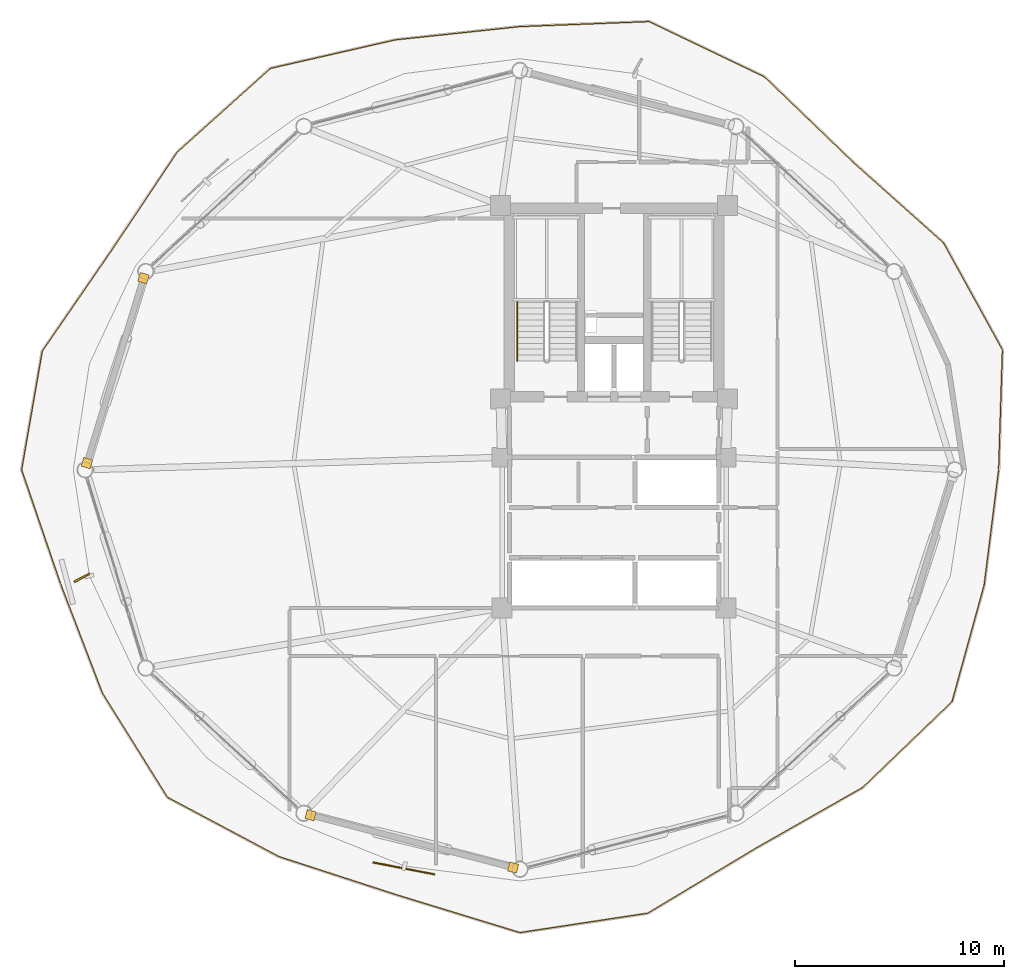
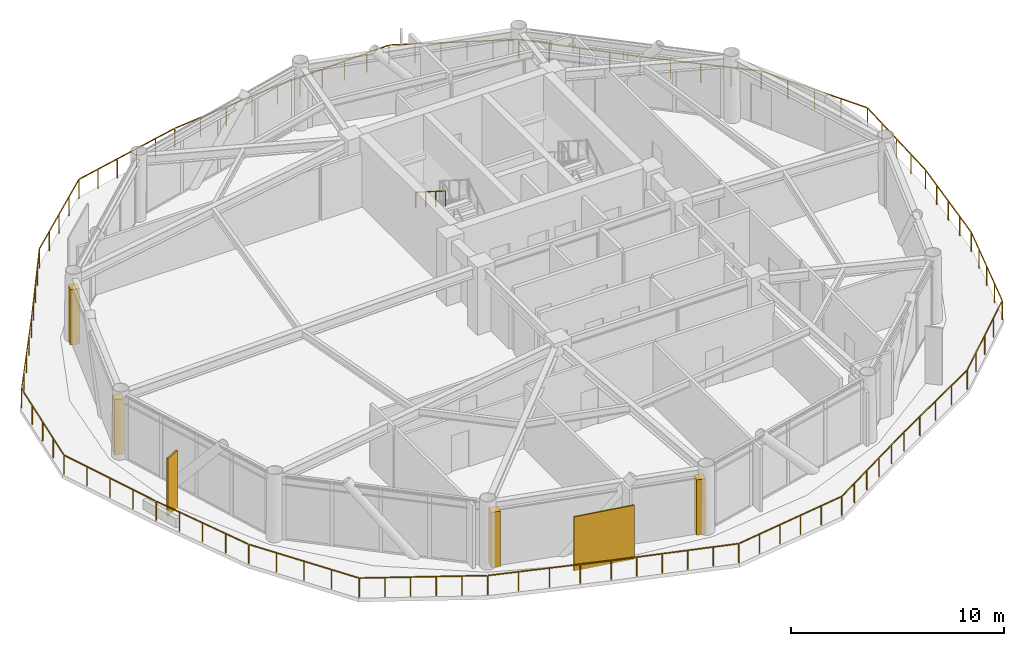
# One storey, part 21 of 23: 4 coverings, 2 railings, 2 shading devices.
"""IFC4 building model written with IfcOpenShell, lengths in metres."""

from ifc_helpers import new_model, si_unit, direction, frame, origin, origin_2d, place, context, subcontext, project, spatial, rectangle, extrude, source, transform, mapped, material, layer, layer_set, type_object, type_shapes, element, save


model = new_model("IFC4")

# Units and contexts
model_context = context("Model", 3, precision=1e-05, world=origin(), true_north=direction((0.0, 1.0)))
body_context = subcontext(model_context, "Body", "Model", "MODEL_VIEW")
ifc_project = project(units=[si_unit("LENGTHUNIT", "METRE"), si_unit("AREAUNIT", "SQUARE_METRE"), si_unit("VOLUMEUNIT", "CUBIC_METRE"), si_unit("PLANEANGLEUNIT", "RADIAN"), si_unit("MASSUNIT", "GRAM", prefix="KILO")], contexts=[model_context])

# Site, building, storey
site_placement = place(None, origin())
site = spatial("IfcSite", under=ifc_project, at=site_placement, CompositionType="ELEMENT")
building_placement = place(site_placement, origin())
building = spatial("IfcBuilding", under=site, at=building_placement, Name="Varnakorn Sky Granary", CompositionType="ELEMENT")
storey_placement = place(building_placement, frame((0.0, 0.0, 150.0)))
storey = spatial("IfcBuildingStorey", under=building, at=storey_placement, Name="L37", CompositionType="ELEMENT", Elevation=150.0)

# Railings
ifc_material_1 = material(Name="Anodised Bronze Aluminium Alloy 6063-T6", Category="aluminium")
railing_type_1 = type_object("IfcRailingType", Name="RL-BAL-1120", PredefinedType="BALUSTRADE", material=ifc_material_1)
railing_1_placement = place(storey_placement, frame((21.3662109375, 0.0, 0.0)))
element("IfcRailing", 1, at=railing_1_placement, inside=storey, type_object=railing_type_1, Name="Wavy Growing Deck Guard Balustrade L37", PredefinedType="BALUSTRADE", context=body_context, shape_type="SweptSolid", body=[
    extrude(rectangle(XDim=0.048095703125, YDim=0.048095703125, at=origin_2d()), frame((0.0009765625, 0.028076171875, 1.09619140625), z_axis=(0.031384778278, 0.999507376507, 0.0), x_axis=(-0.999507376507, 0.031384778278, 0.0)), (0.0, 0.0, 1.0), 5.684814453125),
    extrude(rectangle(XDim=0.048095703125, YDim=0.048095703125, at=origin_2d()), frame((0.166748046875, 5.762451171875, 1.09619140625), z_axis=(-0.482443297223, 0.875927203005, 0.0), x_axis=(-0.875927203005, -0.482443297223, 0.0)), (0.0, 0.0, 1.0), 5.767578125),
    extrude(rectangle(XDim=0.048095703125, YDim=0.048095703125, at=origin_2d()), frame((-2.650390625, 10.857666015625, 1.09619140625), z_axis=(-0.745937661626, 0.666015769309, 0.0), x_axis=(-0.666015769309, -0.745937661626, 0.0)), (0.0, 0.0, 1.0), 5.754150390625),
    extrude(rectangle(XDim=0.048095703125, YDim=0.048095703125, at=origin_2d()), frame((-6.983642578125, 14.728271484375, 1.09619140625), z_axis=(-0.720459784497, 0.693496718754, 0.0), x_axis=(-0.693496718754, -0.720459784497, 0.0)), (0.0, 0.0, 1.0), 5.80224609375),
    extrude(rectangle(XDim=0.048095703125, YDim=0.048095703125, at=origin_2d()), frame((-11.209228515625, 18.78369140625, 1.09619140625), z_axis=(-0.901893253162, 0.43195897942, 0.0), x_axis=(-0.43195897942, -0.901893253162, 0.0)), (0.0, 0.0, 1.0), 6.051513671875),
    extrude(rectangle(XDim=0.048095703125, YDim=0.048095703125, at=origin_2d()), frame((-16.720458984375, 21.40869140625, 1.09619140625), z_axis=(-0.999256029338, -0.038566667377, 0.0), x_axis=(0.038566667377, -0.999256029338, 0.0)), (0.0, 0.0, 1.0), 6.122314453125),
    extrude(rectangle(XDim=0.048095703125, YDim=0.048095703125, at=origin_2d()), frame((-22.89404296875, 21.16845703125, 1.09619140625), z_axis=(-0.994378206546, -0.105886648576, 0.0), x_axis=(0.105886648576, -0.994378206546, 0.0)), (0.0, 0.0, 1.0), 5.91796875),
    extrude(rectangle(XDim=0.048095703125, YDim=0.048095703125, at=origin_2d()), frame((-28.833984375, 20.532470703125, 1.09619140625), z_axis=(-0.974945459437, -0.222444040431, 0.0), x_axis=(0.222444040431, -0.974945459437, 0.0)), (0.0, 0.0, 1.0), 6.07275390625),
    extrude(rectangle(XDim=0.048095703125, YDim=0.048095703125, at=origin_2d()), frame((-34.802490234375, 19.15673828125, 1.09619140625), z_axis=(-0.743977130392, -0.668205080386, 0.0), x_axis=(0.668205080386, -0.743977130392, 0.0)), (0.0, 0.0, 1.0), 5.9306640625),
    extrude(rectangle(XDim=0.048095703125, YDim=0.048095703125, at=origin_2d()), frame((-39.251220703125, 15.152099609375, 1.09619140625), z_axis=(-0.555559680314, -0.831476663298, 0.0), x_axis=(0.831476663298, -0.555559680314, 0.0)), (0.0, 0.0, 1.0), 5.64501953125),
    extrude(rectangle(XDim=0.048095703125, YDim=0.048095703125, at=origin_2d()), frame((-42.418701171875, 10.412109375, 1.09619140625), z_axis=(-0.567021848244, -0.823702751976, 0.0), x_axis=(0.823702751976, -0.567021848244, 0.0)), (0.0, 0.0, 1.0), 5.72216796875),
    extrude(rectangle(XDim=0.048095703125, YDim=0.048095703125, at=origin_2d()), frame((-45.68408203125, 5.64794921875, 1.09619140625), z_axis=(-0.171301826883, -0.985218597118, 0.0), x_axis=(0.985218597118, -0.171301826883, 0.0)), (0.0, 0.0, 1.0), 5.70458984375),
    extrude(rectangle(XDim=0.048095703125, YDim=0.048095703125, at=origin_2d()), frame((-46.656982421875, -0.026611328125, 1.09619140625), z_axis=(0.323046476842, -0.946383100969, 0.0), x_axis=(0.946383100969, 0.323046476842, 0.0)), (0.0, 0.0, 1.0), 5.694580078125),
    extrude(rectangle(XDim=0.048095703125, YDim=0.048095703125, at=origin_2d()), frame((-44.79833984375, -5.46826171875, 1.09619140625), z_axis=(0.357593032011, -0.933877520587, 0.0), x_axis=(0.933877520587, 0.357593032011, 0.0)), (0.0, 0.0, 1.0), 5.540283203125),
    extrude(rectangle(XDim=0.048095703125, YDim=0.048095703125, at=origin_2d()), frame((-42.792236328125, -10.692138671875, 1.09619140625), z_axis=(0.529553444475, -0.848276576032, 0.0), x_axis=(0.848276576032, 0.529553444475, 0.0)), (0.0, 0.0, 1.0), 5.806884765625),
    extrude(rectangle(XDim=0.048095703125, YDim=0.048095703125, at=origin_2d()), frame((-39.677734375, -15.655029296875, 1.09619140625), z_axis=(0.882781684363, -0.469783458365, 0.0), x_axis=(0.469783458365, 0.882781684363, 0.0)), (0.0, 0.0, 1.0), 5.97607421875),
    extrude(rectangle(XDim=0.048095703125, YDim=0.048095703125, at=origin_2d()), frame((-34.350830078125, -18.484130859375, 1.09619140625), z_axis=(0.95107101627, -0.308972364478, 0.0), x_axis=(0.308972364478, 0.95107101627, 0.0)), (0.0, 0.0, 1.0), 5.8671875),
    extrude(rectangle(XDim=0.048095703125, YDim=0.048095703125, at=origin_2d()), frame((-28.71728515625, -20.31396484375, 1.09619140625), z_axis=(0.956213339527, -0.292670547391, 0.0), x_axis=(0.292670547391, 0.956213339527, 0.0)), (0.0, 0.0, 1.0), 6.091064453125),
    extrude(rectangle(XDim=0.048095703125, YDim=0.048095703125, at=origin_2d()), frame((-22.838623046875, -22.1005859375, 1.09619140625), z_axis=(0.988661194597, 0.150163385341, 0.0), x_axis=(-0.150163385341, 0.988661194597, 0.0)), (0.0, 0.0, 1.0), 6.12548828125),
    extrude(rectangle(XDim=0.048095703125, YDim=0.048095703125, at=origin_2d()), frame((-16.73095703125, -21.162109375, 1.09619140625), z_axis=(0.857103146083, 0.515144831067, 0.0), x_axis=(-0.515144831067, 0.857103146083, 0.0)), (0.0, 0.0, 1.0), 5.971923828125),
    extrude(rectangle(XDim=0.048095703125, YDim=0.048095703125, at=origin_2d()), frame((-11.56396484375, -18.057373046875, 1.09619140625), z_axis=(0.869231468099, 0.494405354811, 0.0), x_axis=(-0.494405354811, 0.869231468099, 0.0)), (0.0, 0.0, 1.0), 5.801513671875),
    extrude(rectangle(XDim=0.048095703125, YDim=0.048095703125, at=origin_2d()), frame((-6.4765625, -15.156005859375, 1.09619140625), z_axis=(0.721205250326, 0.692721435284, 0.0), x_axis=(-0.692721435284, 0.721205250326, 0.0)), (0.0, 0.0, 1.0), 5.86669921875),
    extrude(rectangle(XDim=0.048095703125, YDim=0.048095703125, at=origin_2d()), frame((-2.218017578125, -11.04541015625, 1.09619140625), z_axis=(0.265681101114, 0.964060969291, 0.0), x_axis=(-0.964060969291, 0.265681101114, 0.0)), (0.0, 0.0, 1.0), 5.719482421875),
    extrude(rectangle(XDim=0.048095703125, YDim=0.048095703125, at=origin_2d()), frame((-0.6875, -5.476806640625, 1.09619140625), z_axis=(0.124538423894, 0.992214785706, 0.0), x_axis=(-0.992214785706, 0.124538423894, 0.0)), (0.0, 0.0, 1.0), 5.491943359375),
    extrude(rectangle(XDim=0.0419921875, YDim=0.0419921875, at=origin_2d()), origin(), (0.0, 0.0, 1.0), 1.068115234375),
    extrude(rectangle(XDim=0.0419921875, YDim=0.0419921875, at=origin_2d()), frame((0.044921875, 1.4345703125, 0.0)), (0.0, 0.0, 1.0), 1.068115234375),
    extrude(rectangle(XDim=0.0419921875, YDim=0.0419921875, at=origin_2d()), frame((0.090087890625, 2.869140625, 0.0)), (0.0, 0.0, 1.0), 1.068115234375),
    extrude(rectangle(XDim=0.0419921875, YDim=0.0419921875, at=origin_2d()), frame((0.13525390625, 4.303466796875, 0.0)), (0.0, 0.0, 1.0), 1.068115234375),
    extrude(rectangle(XDim=0.0419921875, YDim=0.0419921875, at=origin_2d()), frame((0.18017578125, 5.738037109375, 0.0)), (0.0, 0.0, 1.0), 1.068115234375),
    extrude(rectangle(XDim=0.0419921875, YDim=0.0419921875, at=origin_2d()), frame((-0.522216796875, 7.01318359375, 0.0)), (0.0, 0.0, 1.0), 1.068115234375),
    extrude(rectangle(XDim=0.0419921875, YDim=0.0419921875, at=origin_2d()), frame((-1.224609375, 8.28857421875, 0.0)), (0.0, 0.0, 1.0), 1.068115234375),
    extrude(rectangle(XDim=0.0419921875, YDim=0.0419921875, at=origin_2d()), frame((-1.927001953125, 9.56396484375, 0.0)), (0.0, 0.0, 1.0), 1.068115234375),
    extrude(rectangle(XDim=0.0419921875, YDim=0.0419921875, at=origin_2d()), frame((-2.62939453125, 10.839111328125, 0.0)), (0.0, 0.0, 1.0), 1.068115234375),
    extrude(rectangle(XDim=0.0419921875, YDim=0.0419921875, at=origin_2d()), frame((-3.712890625, 11.806640625, 0.0)), (0.0, 0.0, 1.0), 1.068115234375),
    extrude(rectangle(XDim=0.0419921875, YDim=0.0419921875, at=origin_2d()), frame((-4.79638671875, 12.77392578125, 0.0)), (0.0, 0.0, 1.0), 1.068115234375),
    extrude(rectangle(XDim=0.0419921875, YDim=0.0419921875, at=origin_2d()), frame((-5.8798828125, 13.7412109375, 0.0)), (0.0, 0.0, 1.0), 1.068115234375),
    extrude(rectangle(XDim=0.0419921875, YDim=0.0419921875, at=origin_2d()), frame((-6.96337890625, 14.708740234375, 0.0)), (0.0, 0.0, 1.0), 1.068115234375),
    extrude(rectangle(XDim=0.0419921875, YDim=0.0419921875, at=origin_2d()), frame((-8.0185546875, 15.724365234375, 0.0)), (0.0, 0.0, 1.0), 1.068115234375),
    extrude(rectangle(XDim=0.0419921875, YDim=0.0419921875, at=origin_2d()), frame((-9.07373046875, 16.740234375, 0.0)), (0.0, 0.0, 1.0), 1.068115234375),
    extrude(rectangle(XDim=0.0419921875, YDim=0.0419921875, at=origin_2d()), frame((-10.12890625, 17.755859375, 0.0)), (0.0, 0.0, 1.0), 1.068115234375),
    extrude(rectangle(XDim=0.0419921875, YDim=0.0419921875, at=origin_2d()), frame((-11.18408203125, 18.771484375, 0.0)), (0.0, 0.0, 1.0), 1.068115234375),
    extrude(rectangle(XDim=0.0419921875, YDim=0.0419921875, at=origin_2d()), frame((-12.28564453125, 19.299072265625, 0.0)), (0.0, 0.0, 1.0), 1.068115234375),
    extrude(rectangle(XDim=0.0419921875, YDim=0.0419921875, at=origin_2d()), frame((-13.387451171875, 19.82666015625, 0.0)), (0.0, 0.0, 1.0), 1.068115234375),
    extrude(rectangle(XDim=0.0419921875, YDim=0.0419921875, at=origin_2d()), frame((-14.489013671875, 20.3544921875, 0.0)), (0.0, 0.0, 1.0), 1.068115234375),
    extrude(rectangle(XDim=0.0419921875, YDim=0.0419921875, at=origin_2d()), frame((-15.5908203125, 20.882080078125, 0.0)), (0.0, 0.0, 1.0), 1.068115234375),
    extrude(rectangle(XDim=0.0419921875, YDim=0.0419921875, at=origin_2d()), frame((-16.6923828125, 21.40966796875, 0.0)), (0.0, 0.0, 1.0), 1.068115234375),
    extrude(rectangle(XDim=0.0419921875, YDim=0.0419921875, at=origin_2d()), frame((-17.92724609375, 21.362060546875, 0.0)), (0.0, 0.0, 1.0), 1.068115234375),
    extrude(rectangle(XDim=0.0419921875, YDim=0.0419921875, at=origin_2d()), frame((-19.161865234375, 21.314453125, 0.0)), (0.0, 0.0, 1.0), 1.068115234375),
    extrude(rectangle(XDim=0.0419921875, YDim=0.0419921875, at=origin_2d()), frame((-20.396728515625, 21.2666015625, 0.0)), (0.0, 0.0, 1.0), 1.068115234375),
    extrude(rectangle(XDim=0.0419921875, YDim=0.0419921875, at=origin_2d()), frame((-21.63134765625, 21.218994140625, 0.0)), (0.0, 0.0, 1.0), 1.068115234375),
    extrude(rectangle(XDim=0.0419921875, YDim=0.0419921875, at=origin_2d()), frame((-22.8662109375, 21.17138671875, 0.0)), (0.0, 0.0, 1.0), 1.068115234375),
    extrude(rectangle(XDim=0.0419921875, YDim=0.0419921875, at=origin_2d()), frame((-24.351318359375, 21.01318359375, 0.0)), (0.0, 0.0, 1.0), 1.068115234375),
    extrude(rectangle(XDim=0.0419921875, YDim=0.0419921875, at=origin_2d()), frame((-25.83642578125, 20.85498046875, 0.0)), (0.0, 0.0, 1.0), 1.068115234375),
    extrude(rectangle(XDim=0.0419921875, YDim=0.0419921875, at=origin_2d()), frame((-27.321533203125, 20.697021484375, 0.0)), (0.0, 0.0, 1.0), 1.068115234375),
    extrude(rectangle(XDim=0.0419921875, YDim=0.0419921875, at=origin_2d()), frame((-28.806640625, 20.538818359375, 0.0)), (0.0, 0.0, 1.0), 1.068115234375),
    extrude(rectangle(XDim=0.0419921875, YDim=0.0419921875, at=origin_2d()), frame((-30.001708984375, 20.26611328125, 0.0)), (0.0, 0.0, 1.0), 1.068115234375),
    extrude(rectangle(XDim=0.0419921875, YDim=0.0419921875, at=origin_2d()), frame((-31.19677734375, 19.993408203125, 0.0)), (0.0, 0.0, 1.0), 1.068115234375),
    extrude(rectangle(XDim=0.0419921875, YDim=0.0419921875, at=origin_2d()), frame((-32.3916015625, 19.720947265625, 0.0)), (0.0, 0.0, 1.0), 1.068115234375),
    extrude(rectangle(XDim=0.0419921875, YDim=0.0419921875, at=origin_2d()), frame((-33.586669921875, 19.4482421875, 0.0)), (0.0, 0.0, 1.0), 1.068115234375),
    extrude(rectangle(XDim=0.0419921875, YDim=0.0419921875, at=origin_2d()), frame((-34.78173828125, 19.175537109375, 0.0)), (0.0, 0.0, 1.0), 1.068115234375),
    extrude(rectangle(XDim=0.0419921875, YDim=0.0419921875, at=origin_2d()), frame((-35.895263671875, 18.175537109375, 0.0)), (0.0, 0.0, 1.0), 1.068115234375),
    extrude(rectangle(XDim=0.0419921875, YDim=0.0419921875, at=origin_2d()), frame((-37.0087890625, 17.17529296875, 0.0)), (0.0, 0.0, 1.0), 1.068115234375),
    extrude(rectangle(XDim=0.0419921875, YDim=0.0419921875, at=origin_2d()), frame((-38.1220703125, 16.17529296875, 0.0)), (0.0, 0.0, 1.0), 1.068115234375),
    extrude(rectangle(XDim=0.0419921875, YDim=0.0419921875, at=origin_2d()), frame((-39.235595703125, 15.17529296875, 0.0)), (0.0, 0.0, 1.0), 1.068115234375),
    extrude(rectangle(XDim=0.0419921875, YDim=0.0419921875, at=origin_2d()), frame((-40.02734375, 13.990234375, 0.0)), (0.0, 0.0, 1.0), 1.068115234375),
    extrude(rectangle(XDim=0.0419921875, YDim=0.0419921875, at=origin_2d()), frame((-40.8193359375, 12.80517578125, 0.0)), (0.0, 0.0, 1.0), 1.068115234375),
    extrude(rectangle(XDim=0.0419921875, YDim=0.0419921875, at=origin_2d()), frame((-41.611083984375, 11.6201171875, 0.0)), (0.0, 0.0, 1.0), 1.068115234375),
    extrude(rectangle(XDim=0.0419921875, YDim=0.0419921875, at=origin_2d()), frame((-42.40283203125, 10.43505859375, 0.0)), (0.0, 0.0, 1.0), 1.068115234375),
    extrude(rectangle(XDim=0.0419921875, YDim=0.0419921875, at=origin_2d()), frame((-43.221923828125, 9.2451171875, 0.0)), (0.0, 0.0, 1.0), 1.068115234375),
    extrude(rectangle(XDim=0.0419921875, YDim=0.0419921875, at=origin_2d()), frame((-44.041015625, 8.05517578125, 0.0)), (0.0, 0.0, 1.0), 1.068115234375),
    extrude(rectangle(XDim=0.0419921875, YDim=0.0419921875, at=origin_2d()), frame((-44.860107421875, 6.865478515625, 0.0)), (0.0, 0.0, 1.0), 1.068115234375),
    extrude(rectangle(XDim=0.0419921875, YDim=0.0419921875, at=origin_2d()), frame((-45.67919921875, 5.675537109375, 0.0)), (0.0, 0.0, 1.0), 1.068115234375),
    extrude(rectangle(XDim=0.0419921875, YDim=0.0419921875, at=origin_2d()), frame((-45.92578125, 4.256591796875, 0.0)), (0.0, 0.0, 1.0), 1.068115234375),
    extrude(rectangle(XDim=0.0419921875, YDim=0.0419921875, at=origin_2d()), frame((-46.172607421875, 2.837890625, 0.0)), (0.0, 0.0, 1.0), 1.068115234375),
    extrude(rectangle(XDim=0.0419921875, YDim=0.0419921875, at=origin_2d()), frame((-46.41943359375, 1.4189453125, 0.0)), (0.0, 0.0, 1.0), 1.068115234375),
    extrude(rectangle(XDim=0.0419921875, YDim=0.0419921875, at=origin_2d()), frame((-46.666015625, 0.0, 0.0)), (0.0, 0.0, 1.0), 1.068115234375),
    extrude(rectangle(XDim=0.0419921875, YDim=0.0419921875, at=origin_2d()), frame((-46.20166015625, -1.360595703125, 0.0)), (0.0, 0.0, 1.0), 1.068115234375),
    extrude(rectangle(XDim=0.0419921875, YDim=0.0419921875, at=origin_2d()), frame((-45.7373046875, -2.72119140625, 0.0)), (0.0, 0.0, 1.0), 1.068115234375),
    extrude(rectangle(XDim=0.0419921875, YDim=0.0419921875, at=origin_2d()), frame((-45.272705078125, -4.08154296875, 0.0)), (0.0, 0.0, 1.0), 1.068115234375),
    extrude(rectangle(XDim=0.0419921875, YDim=0.0419921875, at=origin_2d()), frame((-44.808349609375, -5.442138671875, 0.0)), (0.0, 0.0, 1.0), 1.068115234375),
    extrude(rectangle(XDim=0.0419921875, YDim=0.0419921875, at=origin_2d()), frame((-44.30810546875, -6.748779296875, 0.0)), (0.0, 0.0, 1.0), 1.068115234375),
    extrude(rectangle(XDim=0.0419921875, YDim=0.0419921875, at=origin_2d()), frame((-43.8076171875, -8.05517578125, 0.0)), (0.0, 0.0, 1.0), 1.068115234375),
    extrude(rectangle(XDim=0.0419921875, YDim=0.0419921875, at=origin_2d()), frame((-43.307373046875, -9.36181640625, 0.0)), (0.0, 0.0, 1.0), 1.068115234375),
    extrude(rectangle(XDim=0.0419921875, YDim=0.0419921875, at=origin_2d()), frame((-42.80712890625, -10.66845703125, 0.0)), (0.0, 0.0, 1.0), 1.068115234375),
    extrude(rectangle(XDim=0.0419921875, YDim=0.0419921875, at=origin_2d()), frame((-42.031005859375, -11.911865234375, 0.0)), (0.0, 0.0, 1.0), 1.068115234375),
    extrude(rectangle(XDim=0.0419921875, YDim=0.0419921875, at=origin_2d()), frame((-41.2548828125, -13.1552734375, 0.0)), (0.0, 0.0, 1.0), 1.068115234375),
    extrude(rectangle(XDim=0.0419921875, YDim=0.0419921875, at=origin_2d()), frame((-40.478515625, -14.3984375, 0.0)), (0.0, 0.0, 1.0), 1.068115234375),
    extrude(rectangle(XDim=0.0419921875, YDim=0.0419921875, at=origin_2d()), frame((-39.702392578125, -15.641845703125, 0.0)), (0.0, 0.0, 1.0), 1.068115234375),
    extrude(rectangle(XDim=0.0419921875, YDim=0.0419921875, at=origin_2d()), frame((-38.637451171875, -16.20849609375, 0.0)), (0.0, 0.0, 1.0), 1.068115234375),
    extrude(rectangle(XDim=0.0419921875, YDim=0.0419921875, at=origin_2d()), frame((-37.572509765625, -16.775390625, 0.0)), (0.0, 0.0, 1.0), 1.068115234375),
    extrude(rectangle(XDim=0.0419921875, YDim=0.0419921875, at=origin_2d()), frame((-36.50732421875, -17.342041015625, 0.0)), (0.0, 0.0, 1.0), 1.068115234375),
    extrude(rectangle(XDim=0.0419921875, YDim=0.0419921875, at=origin_2d()), frame((-35.4423828125, -17.908935546875, 0.0)), (0.0, 0.0, 1.0), 1.068115234375),
    extrude(rectangle(XDim=0.0419921875, YDim=0.0419921875, at=origin_2d()), frame((-34.37744140625, -18.4755859375, 0.0)), (0.0, 0.0, 1.0), 1.068115234375),
    extrude(rectangle(XDim=0.0419921875, YDim=0.0419921875, at=origin_2d()), frame((-32.96923828125, -18.93310546875, 0.0)), (0.0, 0.0, 1.0), 1.068115234375),
    extrude(rectangle(XDim=0.0419921875, YDim=0.0419921875, at=origin_2d()), frame((-31.560791015625, -19.390625, 0.0)), (0.0, 0.0, 1.0), 1.068115234375),
    extrude(rectangle(XDim=0.0419921875, YDim=0.0419921875, at=origin_2d()), frame((-30.15234375, -19.84814453125, 0.0)), (0.0, 0.0, 1.0), 1.068115234375),
    extrude(rectangle(XDim=0.0419921875, YDim=0.0419921875, at=origin_2d()), frame((-28.744140625, -20.3056640625, 0.0)), (0.0, 0.0, 1.0), 1.068115234375),
    extrude(rectangle(XDim=0.0419921875, YDim=0.0419921875, at=origin_2d()), frame((-27.568603515625, -20.66552734375, 0.0)), (0.0, 0.0, 1.0), 1.068115234375),
    extrude(rectangle(XDim=0.0419921875, YDim=0.0419921875, at=origin_2d()), frame((-26.39306640625, -21.025390625, 0.0)), (0.0, 0.0, 1.0), 1.068115234375),
    extrude(rectangle(XDim=0.0419921875, YDim=0.0419921875, at=origin_2d()), frame((-25.21728515625, -21.385009765625, 0.0)), (0.0, 0.0, 1.0), 1.068115234375),
    extrude(rectangle(XDim=0.0419921875, YDim=0.0419921875, at=origin_2d()), frame((-24.041748046875, -21.744873046875, 0.0)), (0.0, 0.0, 1.0), 1.068115234375),
    extrude(rectangle(XDim=0.0419921875, YDim=0.0419921875, at=origin_2d()), frame((-22.8662109375, -22.104736328125, 0.0)), (0.0, 0.0, 1.0), 1.068115234375),
    extrude(rectangle(XDim=0.0419921875, YDim=0.0419921875, at=origin_2d()), frame((-21.64404296875, -21.919189453125, 0.0)), (0.0, 0.0, 1.0), 1.068115234375),
    extrude(rectangle(XDim=0.0419921875, YDim=0.0419921875, at=origin_2d()), frame((-20.421630859375, -21.7333984375, 0.0)), (0.0, 0.0, 1.0), 1.068115234375),
    extrude(rectangle(XDim=0.0419921875, YDim=0.0419921875, at=origin_2d()), frame((-19.199462890625, -21.5478515625, 0.0)), (0.0, 0.0, 1.0), 1.068115234375),
    extrude(rectangle(XDim=0.0419921875, YDim=0.0419921875, at=origin_2d()), frame((-17.97705078125, -21.362060546875, 0.0)), (0.0, 0.0, 1.0), 1.068115234375),
    extrude(rectangle(XDim=0.0419921875, YDim=0.0419921875, at=origin_2d()), frame((-16.7548828125, -21.176513671875, 0.0)), (0.0, 0.0, 1.0), 1.068115234375),
    extrude(rectangle(XDim=0.0419921875, YDim=0.0419921875, at=origin_2d()), frame((-15.7216796875, -20.555419921875, 0.0)), (0.0, 0.0, 1.0), 1.068115234375),
    extrude(rectangle(XDim=0.0419921875, YDim=0.0419921875, at=origin_2d()), frame((-14.688232421875, -19.934326171875, 0.0)), (0.0, 0.0, 1.0), 1.068115234375),
    extrude(rectangle(XDim=0.0419921875, YDim=0.0419921875, at=origin_2d()), frame((-13.655029296875, -19.3134765625, 0.0)), (0.0, 0.0, 1.0), 1.068115234375),
    extrude(rectangle(XDim=0.0419921875, YDim=0.0419921875, at=origin_2d()), frame((-12.62158203125, -18.6923828125, 0.0)), (0.0, 0.0, 1.0), 1.068115234375),
    extrude(rectangle(XDim=0.0419921875, YDim=0.0419921875, at=origin_2d()), frame((-11.58837890625, -18.0712890625, 0.0)), (0.0, 0.0, 1.0), 1.068115234375),
    extrude(rectangle(XDim=0.0419921875, YDim=0.0419921875, at=origin_2d()), frame((-10.3154296875, -17.34716796875, 0.0)), (0.0, 0.0, 1.0), 1.068115234375),
    extrude(rectangle(XDim=0.0419921875, YDim=0.0419921875, at=origin_2d()), frame((-9.04248046875, -16.623291015625, 0.0)), (0.0, 0.0, 1.0), 1.068115234375),
    extrude(rectangle(XDim=0.0419921875, YDim=0.0419921875, at=origin_2d()), frame((-7.769775390625, -15.8994140625, 0.0)), (0.0, 0.0, 1.0), 1.068115234375),
    extrude(rectangle(XDim=0.0419921875, YDim=0.0419921875, at=origin_2d()), frame((-6.496826171875, -15.17529296875, 0.0)), (0.0, 0.0, 1.0), 1.068115234375),
    extrude(rectangle(XDim=0.0419921875, YDim=0.0419921875, at=origin_2d()), frame((-5.428955078125, -14.149658203125, 0.0)), (0.0, 0.0, 1.0), 1.068115234375),
    extrude(rectangle(XDim=0.0419921875, YDim=0.0419921875, at=origin_2d()), frame((-4.361083984375, -13.1240234375, 0.0)), (0.0, 0.0, 1.0), 1.068115234375),
    extrude(rectangle(XDim=0.0419921875, YDim=0.0419921875, at=origin_2d()), frame((-3.293212890625, -12.09814453125, 0.0)), (0.0, 0.0, 1.0), 1.068115234375),
    extrude(rectangle(XDim=0.0419921875, YDim=0.0419921875, at=origin_2d()), frame((-2.225341796875, -11.072509765625, 0.0)), (0.0, 0.0, 1.0), 1.068115234375),
    extrude(rectangle(XDim=0.0419921875, YDim=0.0419921875, at=origin_2d()), frame((-1.841796875, -9.6806640625, 0.0)), (0.0, 0.0, 1.0), 1.068115234375),
    extrude(rectangle(XDim=0.0419921875, YDim=0.0419921875, at=origin_2d()), frame((-1.4580078125, -8.28857421875, 0.0)), (0.0, 0.0, 1.0), 1.068115234375),
    extrude(rectangle(XDim=0.0419921875, YDim=0.0419921875, at=origin_2d()), frame((-1.074462890625, -6.896484375, 0.0)), (0.0, 0.0, 1.0), 1.068115234375),
    extrude(rectangle(XDim=0.0419921875, YDim=0.0419921875, at=origin_2d()), frame((-0.69091796875, -5.504638671875, 0.0)), (0.0, 0.0, 1.0), 1.068115234375),
    extrude(rectangle(XDim=0.0419921875, YDim=0.0419921875, at=origin_2d()), frame((-0.51806640625, -4.12841796875, 0.0)), (0.0, 0.0, 1.0), 1.068115234375),
    extrude(rectangle(XDim=0.0419921875, YDim=0.0419921875, at=origin_2d()), frame((-0.345458984375, -2.75244140625, 0.0)), (0.0, 0.0, 1.0), 1.068115234375),
    extrude(rectangle(XDim=0.0419921875, YDim=0.0419921875, at=origin_2d()), frame((-0.1728515625, -1.376220703125, 0.0)), (0.0, 0.0, 1.0), 1.068115234375),
])
ifc_material_2 = material(Name="Brushed Stainless Steel 316", Category="steel")
railing_type_2 = type_object("IfcRailingType", Name="RL-STAIR-920", PredefinedType="HANDRAIL", material=ifc_material_2)
railing_2_placement = place(storey_placement, frame((-1.6201171875, 8.0, 2.127197265625)))
element("IfcRailing", 2, at=railing_2_placement, inside=storey, type_object=railing_type_2, Name="L37 ST-1 stair handrail 2", PredefinedType="HANDRAIL", context=body_context, shape_type="SweptSolid", body=[
    extrude(rectangle(XDim=0.048095703125, YDim=0.048095703125, at=origin_2d()), frame((0.0, 0.0, 0.8759765625), z_axis=(0.0, -0.844908973607, 0.534910110503), x_axis=(1.0, 0.0, 0.0)), (0.0, 0.0, 1.0), 3.31396484375),
    extrude(rectangle(XDim=0.0419921875, YDim=0.0419921875, at=origin_2d()), origin(), (0.0, 0.0, 1.0), 0.847900390625),
    extrude(rectangle(XDim=0.0419921875, YDim=0.0419921875, at=origin_2d()), frame((0.0, -0.933349609375, 0.5908203125)), (0.0, 0.0, 1.0), 0.847900390625),
    extrude(rectangle(XDim=0.0419921875, YDim=0.0419921875, at=origin_2d()), frame((0.0, -1.86669921875, 1.181884765625)), (0.0, 0.0, 1.0), 0.847900390625),
    extrude(rectangle(XDim=0.0419921875, YDim=0.0419921875, at=origin_2d()), frame((0.0, -2.800048828125, 1.772705078125)), (0.0, 0.0, 1.0), 0.847900390625),
])

# Shading devices
shading_device_type_1 = type_object("IfcShadingDeviceType", Name="SH-SCR-02", PredefinedType="USERDEFINED", material=ifc_material_1)
shared_shape_1 = source(origin(), body_context, "Body", "SweptSolid", [
    extrude(rectangle(XDim=3.0, YDim=0.06494140625, at=origin_2d()), origin(), (0.0, 0.0, 1.0), 3.10009765625),
])
type_shapes(shading_device_type_1, [shared_shape_1])
shading_device_1_placement = place(storey_placement, frame((-7.0458984375, -19.039794921875, -0.0400390625), z_axis=(0.0, 0.0, 1.0), x_axis=(0.981662411223, -0.190627674779, 0.0)))
element("IfcShadingDevice", 3, at=shading_device_1_placement, inside=storey, type_object=shading_device_type_1, Name="Perforated Bronze Solar Screen Panel SCREEN L37-09", ObjectType="SCREEN", PredefinedType="USERDEFINED", context=body_context, shape_type="MappedRepresentation", body=[
    mapped(shared_shape_1, transform((0.0, 0.0, 0.0), x_axis=(1.0, 0.0, 0.0), y_axis=(0.0, 1.0, 0.0), z_axis=(0.0, 0.0, 1.0), scale=1.0)),
])
shading_device_type_2 = type_object("IfcShadingDeviceType", Name="SH-FIN-02", PredefinedType="USERDEFINED", material=ifc_material_1)
shared_shape_2 = source(origin(), body_context, "Body", "SweptSolid", [
    extrude(rectangle(XDim=0.0849609375, YDim=0.820068359375, at=origin_2d()), origin(), (0.0, 0.0, 1.0), 3.300048828125),
])
type_shapes(shading_device_type_2, [shared_shape_2])
shading_device_2_placement = place(storey_placement, frame((-22.422607421875, -5.1572265625, -0.0400390625), z_axis=(0.0, 0.0, 1.0), x_axis=(0.469689102735, -0.882831890437, 0.0)))
element("IfcShadingDevice", 4, at=shading_device_2_placement, inside=storey, type_object=shading_device_type_2, Name="Bronze Solar-Tracking Vertical Blade FIN L37-07", ObjectType="FIN", PredefinedType="USERDEFINED", context=body_context, shape_type="MappedRepresentation", body=[
    mapped(shared_shape_2, transform((0.0, 0.0, 0.0), x_axis=(1.0, 0.0, 0.0), y_axis=(0.0, 1.0, 0.0), z_axis=(0.0, 0.0, 1.0), scale=1.0)),
])

# Coverings
ifc_layer = layer(ifc_material_1, 0.050048828125, Name="Anodised Bronze Aluminium Alloy 6063-T6")
ifc_layer_set = layer_set([ifc_layer], Name="Anodised Bronze Aluminium Alloy 6063-T6")
covering_type = type_object("IfcCoveringType", Name="CV-CLAD-50", PredefinedType="CLADDING", material=ifc_layer_set)
shared_shape_3 = source(origin(), body_context, "Body", "SweptSolid", [
    extrude(rectangle(XDim=0.43994140625, YDim=0.43994140625, at=origin_2d()), origin(), (0.0, 0.0, 1.0), 3.179931640625),
])
type_shapes(covering_type, [shared_shape_3])
for number, where, z_axis, x_axis, name in (
    (5, (-22.1845703125, 0.3212890625, -0.02001953125), (0.0, 0.0, 1.0), (0.292705500237, 0.956202640726, 0.0), "Bronze Corner Pilaster Closure L37-P06-A"),
    (6, (-19.47998046875, 9.1552734375, -0.02001953125), (0.0, 0.0, 1.0), (0.292705500237, 0.956202640726, 0.0), "Bronze Corner Pilaster Closure L37-P06-B"),
    (7, (-1.8251953125, -19.003662109375, -0.02001953125), (0.0, 0.0, 1.0), (-0.968060182288, 0.250717936073, 0.0), "Bronze Corner Pilaster Closure L37-P09-A"),
    (8, (-11.498779296875, -16.498046875, -0.02001953125), (0.0, 0.0, 1.0), (-0.968060182288, 0.250717936073, 0.0), "Bronze Corner Pilaster Closure L37-P09-B"),
):
    element("IfcCovering", number, at=place(storey_placement, frame(where, z_axis=z_axis, x_axis=x_axis)), inside=storey, type_object=covering_type, Name=name, PredefinedType="CLADDING", context=body_context, shape_type="MappedRepresentation", body=[
        mapped(shared_shape_3, transform((0.0, 0.0, 0.0), x_axis=(1.0, 0.0, 0.0), y_axis=(0.0, 1.0, 0.0), z_axis=(0.0, 0.0, 1.0), scale=1.0)),
    ])

save(model, "model.ifc")
